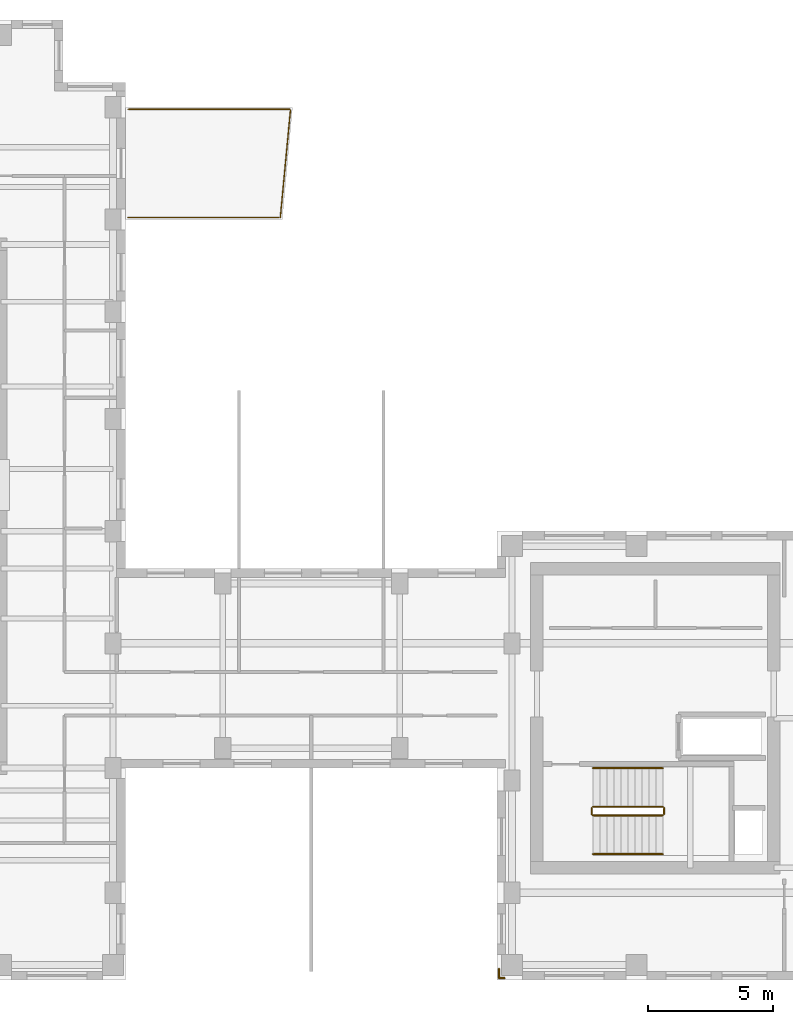
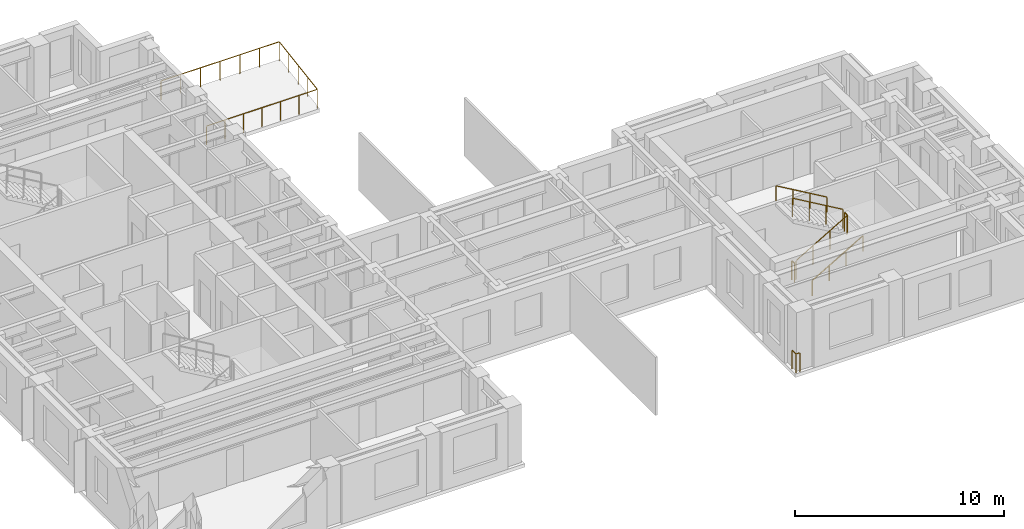
# One storey, part 10 of 10: 8 railings.
"""IFC4 building model written with IfcOpenShell, lengths in metres."""

import ifcopenshell
import ifcopenshell.guid

model = None  # the IFC model being written
_history = None  # IfcOwnerHistory: only IFC2X3 demands one
_inside = {}  # id of a spatial element -> (the spatial element, [elements in it])
_under = {}  # id of a project, library or spatial element -> (it, [spatial elements below it])
_declared = {}  # id of a project -> (the project, [libraries it declares])
_typed = {}  # id of a type object -> (the type object, [elements of that type])
_made_of = {}  # id of a material, layer set ... -> (it, [elements and type objects made of it])


def new_model(schema):
    """Start an empty IFC model of exactly this schema.

    Asked for "IFC4X3", IfcOpenShell would pick the latest addendum, in which some entities
    have other attributes; the version numbers below select the first issue.
    IFC2X3 requires an IfcOwnerHistory on every rooted entity: one is made here for all.
    """
    global model, _history
    if schema == "IFC4X3":
        model = ifcopenshell.file(schema_version=(4, 3, 0, 0))
    else:
        model = ifcopenshell.file(schema=schema)
    _inside.clear()
    _under.clear()
    _declared.clear()
    _typed.clear()
    _made_of.clear()
    _history = None
    if model.schema == "IFC2X3":
        org = make("IfcOrganization", Name="unknown")
        user = make(
            "IfcPersonAndOrganization",
            ThePerson=make("IfcPerson", FamilyName="unknown"),
            TheOrganization=org,
        )
        app = make(
            "IfcApplication",
            ApplicationDeveloper=org,
            Version="unknown",
            ApplicationFullName="unknown",
            ApplicationIdentifier="unknown",
        )
        _history = make(
            "IfcOwnerHistory",
            OwningUser=user,
            OwningApplication=app,
            ChangeAction="ADDED",
            CreationDate=0,
        )
    return model


def make(cls, **values):
    """One entity of the class cls with the attributes given. An attribute that is None is left unset."""
    return model.create_entity(
        cls, **{name: value for name, value in values.items() if value is not None}
    )


def rooted(cls, **values):
    """An entity with a GlobalId (a new one), such as an element, a storey or a relation."""
    return make(cls, GlobalId=ifcopenshell.guid.new(), OwnerHistory=_history, **values)


def si_unit(unit_type, name, prefix=None):
    """IfcSIUnit, for example si_unit("LENGTHUNIT", "METRE", prefix="MILLI")."""
    return make("IfcSIUnit", UnitType=unit_type, Prefix=prefix, Name=name)


def assignment(units):
    """IfcUnitAssignment: the units of a project."""
    return None if units is None else make("IfcUnitAssignment", Units=units)


def point(xyz):
    """IfcCartesianPoint."""
    return None if xyz is None else make("IfcCartesianPoint", Coordinates=xyz)


def direction(xyz):
    """IfcDirection."""
    return None if xyz is None else make("IfcDirection", DirectionRatios=xyz)


def frame(location, z_axis=None, x_axis=None):
    """IfcAxis2Placement3D, a coordinate frame: its origin and axes. An axis left out is left unset."""
    return make(
        "IfcAxis2Placement3D",
        Location=point(location),
        Axis=direction(z_axis),
        RefDirection=direction(x_axis),
    )


def frame_2d(location, x_axis=None):
    """IfcAxis2Placement2D, a coordinate frame in the plane: its origin and x axis."""
    return make(
        "IfcAxis2Placement2D", Location=point(location), RefDirection=direction(x_axis)
    )


def origin():
    """The frame at (0, 0, 0) with its axes left unset."""
    return frame((0.0, 0.0, 0.0))


def origin_2d():
    """The frame at (0, 0) in the plane with its x axis left unset."""
    return frame_2d((0.0, 0.0))


def place(relative_to, where):
    """IfcLocalPlacement: puts the frame where relative to a parent placement (None: the world)."""
    return make(
        "IfcLocalPlacement", PlacementRelTo=relative_to, RelativePlacement=where
    )


def context(
    kind, dimensions, precision=None, world=None, true_north=None, identifier=None
):
    """IfcGeometricRepresentationContext, for example the 3D "Model" context."""
    return make(
        "IfcGeometricRepresentationContext",
        ContextIdentifier=identifier,
        ContextType=kind,
        CoordinateSpaceDimension=dimensions,
        Precision=precision,
        WorldCoordinateSystem=world,
        TrueNorth=true_north,
    )


def subcontext(parent, identifier, kind, view, scale=None):
    """IfcGeometricRepresentationSubContext, for example "Body" below "Model"."""
    return make(
        "IfcGeometricRepresentationSubContext",
        ContextIdentifier=identifier,
        ContextType=kind,
        ParentContext=parent,
        TargetScale=scale,
        TargetView=view,
    )


def project(units=None, contexts=None):
    """IfcProject with its units and contexts."""
    return rooted(
        "IfcProject",
        Name="project",
        RepresentationContexts=contexts,
        UnitsInContext=assignment(units),
    )


def spatial(cls, under=None, at=None, **own):
    """A site, building, storey or space (cls), placed at a placement, below another one or the project."""
    s = rooted(cls, ObjectPlacement=at, **own)
    if under is not None:
        _under.setdefault(under.id(), (under, []))[1].append(s)
    return s


def profile(cls, at=None, kind="AREA", **sizes):
    """A parametric profile (cls). Its sizes go by their IFC names, for example OverallWidth=200.0."""
    return make(cls, ProfileType=kind, Position=at, **sizes)


def circle(**sizes):
    """IfcCircleProfileDef."""
    return profile("IfcCircleProfileDef", **sizes)


def extrude(swept, where, along, depth):
    """IfcExtrudedAreaSolid: the profile swept, set in the frame where, extruded along a direction by depth."""
    return make(
        "IfcExtrudedAreaSolid",
        SweptArea=swept,
        Position=where,
        ExtrudedDirection=direction(along),
        Depth=depth,
    )


def shape(context_of_items, identifier, shape_type, items):
    """IfcShapeRepresentation: the items that make up one representation, for example the "Body"."""
    return make(
        "IfcShapeRepresentation",
        ContextOfItems=context_of_items,
        RepresentationIdentifier=identifier,
        RepresentationType=shape_type,
        Items=items,
    )


def source(mapping_origin, context_of_items, identifier, shape_type, items):
    """IfcRepresentationMap: a shape defined once, which mapped items show again and again."""
    return make(
        "IfcRepresentationMap",
        MappingOrigin=mapping_origin,
        MappedRepresentation=shape(context_of_items, identifier, shape_type, items),
    )


def transform(
    local_origin,
    x_axis=None,
    y_axis=None,
    z_axis=None,
    scale=None,
    scale2=None,
    scale3=None,
    uniform=True,
):
    """IfcCartesianTransformationOperator3D, or its non-uniform kind. x_axis, y_axis, z_axis: its Axis1, 2, 3."""
    if uniform:
        return make(
            "IfcCartesianTransformationOperator3D",
            Axis1=direction(x_axis),
            Axis2=direction(y_axis),
            LocalOrigin=point(local_origin),
            Scale=scale,
            Axis3=direction(z_axis),
        )
    return make(
        "IfcCartesianTransformationOperator3DnonUniform",
        Axis1=direction(x_axis),
        Axis2=direction(y_axis),
        LocalOrigin=point(local_origin),
        Scale=scale,
        Axis3=direction(z_axis),
        Scale2=scale2,
        Scale3=scale3,
    )


def mapped(mapping_source, mapping_target):
    """IfcMappedItem: shows the shape of a source again, moved by a transform."""
    return make(
        "IfcMappedItem", MappingSource=mapping_source, MappingTarget=mapping_target
    )


def material(Name=None, Category=None):
    """IfcMaterial."""
    return make("IfcMaterial", Name=Name, Category=Category)


def layer(
    of_material, thickness, ventilated=None, Name=None, Category=None, Priority=None
):
    """IfcMaterialLayer: one layer of a wall or slab, of a material (None: an air gap)."""
    return make(
        "IfcMaterialLayer",
        Material=of_material,
        LayerThickness=thickness,
        IsVentilated=ventilated,
        Name=Name,
        Category=Category,
        Priority=Priority,
    )


def layer_set(layers, Name=None):
    """IfcMaterialLayerSet."""
    return make("IfcMaterialLayerSet", MaterialLayers=layers, LayerSetName=Name)


def made_of(thing, what):
    """Note that an element or type object is made of a material, layer set ...; save() writes the relation."""
    if what is not None:
        _made_of.setdefault(what.id(), (what, []))[1].append(thing)
    return thing


def type_object(cls, material=None, **own):
    """A type object (cls), such as IfcWallType, which elements share."""
    return made_of(rooted(cls, **own), material)


def element(
    cls,
    number,
    at=None,
    inside=None,
    cuts=None,
    type_object=None,
    material=None,
    context=None,
    identifier="Body",
    shape_type=None,
    held_by="IfcProductDefinitionShape",
    body=None,
    shapes=None,
    **own,
):
    """One element of the class cls, such as IfcWall. Its Tag is "e" and its number.

    at: its placement. inside: the storey or other place that contains it. cuts: it is an
    opening in that element (IfcRelVoidsElement). A single representation is given by context,
    identifier, shape_type and body (its items); several are given by shapes. held_by: the class
    of the entity that holds the representations. save() writes the other relations.
    """
    e = rooted(cls, Tag="e%d" % number, ObjectPlacement=at, **own)
    if body is not None:
        shapes = [shape(context, identifier, shape_type, body)]
    if shapes is not None:
        e.Representation = make(held_by, Representations=shapes)
    if inside is not None:
        _inside.setdefault(inside.id(), (inside, []))[1].append(e)
    if cuts is not None:
        rooted(
            "IfcRelVoidsElement", RelatingBuildingElement=cuts, RelatedOpeningElement=e
        )
    if type_object is not None:
        _typed.setdefault(type_object.id(), (type_object, []))[1].append(e)
    return made_of(e, material)


def aggregate(whole, parts):
    """IfcRelAggregates: a whole, such as a stair, and the parts it consists of."""
    return rooted("IfcRelAggregates", RelatingObject=whole, RelatedObjects=parts)


def save(model, path):
    """Write the relations noted so far, then the file.

    IfcRelAggregates (storeys below a building ...), IfcRelContainedInSpatialStructure (elements
    in a storey), IfcRelDefinesByType, IfcRelAssociatesMaterial and IfcRelDeclares: one each for
    every whole, place, type object, material and project.
    """
    for whole, parts in _under.values():
        aggregate(whole, parts)
    for where, things in _inside.values():
        rooted(
            "IfcRelContainedInSpatialStructure",
            RelatedElements=things,
            RelatingStructure=where,
        )
    for kind, things in _typed.values():
        rooted("IfcRelDefinesByType", RelatedObjects=things, RelatingType=kind)
    for what, things in _made_of.values():
        rooted("IfcRelAssociatesMaterial", RelatedObjects=things, RelatingMaterial=what)
    for by, libraries in _declared.values():
        rooted("IfcRelDeclares", RelatingContext=by, RelatedDefinitions=libraries)
    model.write(path)


model = new_model("IFC4")

# Units and contexts
model_context = context("Model", 3, precision=1e-05, world=origin(), true_north=direction((0.0, 1.0)))
body_context = subcontext(model_context, "Body", "Model", "MODEL_VIEW")
ifc_project = project(units=[si_unit("LENGTHUNIT", "METRE"), si_unit("AREAUNIT", "SQUARE_METRE"), si_unit("VOLUMEUNIT", "CUBIC_METRE"), si_unit("PLANEANGLEUNIT", "RADIAN"), si_unit("MASSUNIT", "GRAM", prefix="KILO")], contexts=[model_context])

# Site, building, storey
site_placement = place(None, origin())
site = spatial("IfcSite", under=ifc_project, at=site_placement, CompositionType="ELEMENT")
building_placement = place(site_placement, origin())
building = spatial("IfcBuilding", under=site, at=building_placement, Name="Kharzan Plaza Tower", CompositionType="ELEMENT")
storey_placement = place(building_placement, frame((0.0, 0.0, 237.60009765625)))
storey = spatial("IfcBuildingStorey", under=building, at=storey_placement, Name="L64", CompositionType="ELEMENT", Elevation=237.60009765625)

# Railings
ifc_material_1 = material(Name="Painted Galvanized Architectural Steel", Category="steel")
ifc_layer_1 = layer(ifc_material_1, 0.074951171875)
ifc_layer_set_1 = layer_set([ifc_layer_1], Name="Painted Galvanized Architectural Steel")
railing_type_1 = type_object("IfcRailingType", Name="RL-GUARD-1120", PredefinedType="BALUSTRADE", material=ifc_layer_set_1)
shared_shape_1 = source(origin(), body_context, "Body", "SweptSolid", [
    extrude(circle(Radius=0.02392578125, at=origin_2d()), frame((0.0, 0.0263671875, 1.09619140625), z_axis=(0.0, 1.0, 0.0), x_axis=(-1.0, 0.0, 0.0)), (0.0, 0.0, 1.0), 0.197021484375),
    extrude(circle(Radius=0.02099609375, at=origin_2d()), origin(), (0.0, 0.0, 1.0), 1.072021484375),
    extrude(circle(Radius=0.02099609375, at=origin_2d()), frame((0.0, 0.25, 0.0)), (0.0, 0.0, 1.0), 1.072021484375),
])
for number, where, name in (
    (1, (41.10009765625, 6.64990234375, 1.7998046875), "L64 ST-3 stair guard 2"),
    (2, (38.199951171875, 6.64990234375, 0.0), "L64 ST-3 stair guard 4"),
):
    element("IfcRailing", number, at=place(storey_placement, frame(where)), inside=storey, type_object=railing_type_1, Name=name, PredefinedType="BALUSTRADE", context=body_context, shape_type="MappedRepresentation", body=[
        mapped(shared_shape_1, transform((0.0, 0.0, 0.0), x_axis=(1.0, 0.0, 0.0), y_axis=(0.0, 1.0, 0.0), z_axis=(0.0, 0.0, 1.0))),
    ])
shared_shape_2 = source(origin(), body_context, "Body", "SweptSolid", [
    extrude(circle(Radius=0.02392578125, at=origin_2d()), frame((0.0263671875, 0.0, 1.09619140625), z_axis=(1.0, 0.0, 0.0), x_axis=(0.0, 1.0, 0.0)), (0.0, 0.0, 1.0), 6.056884765625),
    extrude(circle(Radius=0.02392578125, at=origin_2d()), frame((6.1123046875, 0.0263671875, 1.09619140625), z_axis=(0.094090176669, 0.995563678855, 0.0), x_axis=(-0.995563678855, 0.094090176669, 0.0)), (0.0, 0.0, 1.0), 4.306396484375),
    extrude(circle(Radius=0.02392578125, at=origin_2d()), frame((6.49365234375, 4.33984375, 1.09619140625), z_axis=(-1.0, 0.0, 0.0), x_axis=(0.0, -1.0, 0.0)), (0.0, 0.0, 1.0), 6.467041015625),
    extrude(circle(Radius=0.02099609375, at=origin_2d()), origin(), (0.0, 0.0, 1.0), 1.072021484375),
    extrude(circle(Radius=0.02099609375, at=origin_2d()), frame((1.018310546875, 0.0, 0.0)), (0.0, 0.0, 1.0), 1.072021484375),
    extrude(circle(Radius=0.02099609375, at=origin_2d()), frame((2.03662109375, 0.0, 0.0)), (0.0, 0.0, 1.0), 1.072021484375),
    extrude(circle(Radius=0.02099609375, at=origin_2d()), frame((3.054931640625, 0.0, 0.0)), (0.0, 0.0, 1.0), 1.072021484375),
    extrude(circle(Radius=0.02099609375, at=origin_2d()), frame((4.0732421875, 0.0, 0.0)), (0.0, 0.0, 1.0), 1.072021484375),
    extrude(circle(Radius=0.02099609375, at=origin_2d()), frame((5.091552734375, 0.0, 0.0)), (0.0, 0.0, 1.0), 1.072021484375),
    extrude(circle(Radius=0.02099609375, at=origin_2d()), frame((6.10986328125, 0.0, 0.0)), (0.0, 0.0, 1.0), 1.072021484375),
    extrude(circle(Radius=0.02099609375, at=origin_2d()), frame((6.21240234375, 1.0849609375, 0.0)), (0.0, 0.0, 1.0), 1.072021484375),
    extrude(circle(Radius=0.02099609375, at=origin_2d()), frame((6.31494140625, 2.169921875, 0.0)), (0.0, 0.0, 1.0), 1.072021484375),
    extrude(circle(Radius=0.02099609375, at=origin_2d()), frame((6.41748046875, 3.2548828125, 0.0)), (0.0, 0.0, 1.0), 1.072021484375),
    extrude(circle(Radius=0.02099609375, at=origin_2d()), frame((6.52001953125, 4.33984375, 0.0)), (0.0, 0.0, 1.0), 1.072021484375),
    extrude(circle(Radius=0.02099609375, at=origin_2d()), frame((5.433349609375, 4.33984375, 0.0)), (0.0, 0.0, 1.0), 1.072021484375),
    extrude(circle(Radius=0.02099609375, at=origin_2d()), frame((4.3466796875, 4.33984375, 0.0)), (0.0, 0.0, 1.0), 1.072021484375),
    extrude(circle(Radius=0.02099609375, at=origin_2d()), frame((3.260009765625, 4.33984375, 0.0)), (0.0, 0.0, 1.0), 1.072021484375),
    extrude(circle(Radius=0.02099609375, at=origin_2d()), frame((2.17333984375, 4.33984375, 0.0)), (0.0, 0.0, 1.0), 1.072021484375),
    extrude(circle(Radius=0.02099609375, at=origin_2d()), frame((1.086669921875, 4.33984375, 0.0)), (0.0, 0.0, 1.0), 1.072021484375),
    extrude(circle(Radius=0.02099609375, at=origin_2d()), frame((0.0, 4.33984375, 0.0)), (0.0, 0.0, 1.0), 1.072021484375),
])
railing_1_placement = place(storey_placement, frame((19.60009765625, 30.580078125, 0.0)))
element("IfcRailing", 3, at=railing_1_placement, inside=storey, type_object=railing_type_1, Name="L64 Cantilevered Sky-Terrace Tray Balustrade", PredefinedType="BALUSTRADE", context=body_context, shape_type="MappedRepresentation", body=[
    mapped(shared_shape_2, transform((0.0, 0.0, 0.0), x_axis=(1.0, 0.0, 0.0), y_axis=(0.0, 1.0, 0.0), z_axis=(0.0, 0.0, 1.0))),
])
shared_shape_3 = source(origin(), body_context, "Body", "SweptSolid", [
    extrude(circle(Radius=0.02392578125, at=origin_2d()), frame((0.02294921875, 0.0, 1.109375), z_axis=(0.863393664356, 0.0, 0.504530851732), x_axis=(0.0, 1.0, 0.0)), (0.0, 0.0, 1.0), 3.190185546875),
    extrude(circle(Radius=0.02099609375, at=origin_2d()), origin(), (0.0, 0.0, 1.0), 1.072021484375),
    extrude(circle(Radius=0.02099609375, at=origin_2d()), frame((0.933349609375, 0.0, 0.54541015625)), (0.0, 0.0, 1.0), 1.072021484375),
    extrude(circle(Radius=0.02099609375, at=origin_2d()), frame((1.86669921875, 0.0, 1.0908203125)), (0.0, 0.0, 1.0), 1.072021484375),
    extrude(circle(Radius=0.02099609375, at=origin_2d()), frame((2.800048828125, 0.0, 1.63623046875)), (0.0, 0.0, 1.0), 1.072021484375),
])
railing_2_placement = place(storey_placement, frame((38.25, 6.60009765625, 0.16357421875)))
element("IfcRailing", 4, at=railing_2_placement, inside=storey, type_object=railing_type_1, Name="L64 ST-3 stair guard 1", PredefinedType="BALUSTRADE", context=body_context, shape_type="MappedRepresentation", body=[
    mapped(shared_shape_3, transform((0.0, 0.0, 0.0), x_axis=(1.0, 0.0, 0.0), y_axis=(0.0, 1.0, 0.0), z_axis=(0.0, 0.0, 1.0))),
])
shared_shape_4 = source(origin(), body_context, "Body", "SweptSolid", [
    extrude(circle(Radius=0.02392578125, at=origin_2d()), frame((-0.02294921875, 0.0, 1.109375), z_axis=(-0.863393664356, 0.0, 0.504530851732), x_axis=(0.0, -1.0, 0.0)), (0.0, 0.0, 1.0), 3.190185546875),
    extrude(circle(Radius=0.02099609375, at=origin_2d()), origin(), (0.0, 0.0, 1.0), 1.072021484375),
    extrude(circle(Radius=0.02099609375, at=origin_2d()), frame((-0.933349609375, 0.0, 0.54541015625)), (0.0, 0.0, 1.0), 1.072021484375),
    extrude(circle(Radius=0.02099609375, at=origin_2d()), frame((-1.86669921875, 0.0, 1.0908203125)), (0.0, 0.0, 1.0), 1.072021484375),
    extrude(circle(Radius=0.02099609375, at=origin_2d()), frame((-2.800048828125, 0.0, 1.63623046875)), (0.0, 0.0, 1.0), 1.072021484375),
])
railing_3_placement = place(storey_placement, frame((41.050048828125, 6.949951171875, 1.963623046875)))
element("IfcRailing", 5, at=railing_3_placement, inside=storey, type_object=railing_type_1, Name="L64 ST-3 stair guard 3", PredefinedType="BALUSTRADE", context=body_context, shape_type="MappedRepresentation", body=[
    mapped(shared_shape_4, transform((0.0, 0.0, 0.0), x_axis=(1.0, 0.0, 0.0), y_axis=(0.0, 1.0, 0.0), z_axis=(0.0, 0.0, 1.0))),
])
ifc_material_2 = material(Name="Brushed Stainless Steel", Category="steel")
ifc_layer_2 = layer(ifc_material_2, 0.050048828125)
ifc_layer_set_2 = layer_set([ifc_layer_2], Name="Brushed Stainless Steel")
railing_type_2 = type_object("IfcRailingType", Name="RL-STAIR-HR920", PredefinedType="HANDRAIL", material=ifc_layer_set_2)
shared_shape_5 = source(origin(), body_context, "Body", "SweptSolid", [
    extrude(circle(Radius=0.02392578125, at=origin_2d()), frame((0.02294921875, 0.0, 0.88916015625), z_axis=(0.863393664356, 0.0, 0.504530851732), x_axis=(0.0, 1.0, 0.0)), (0.0, 0.0, 1.0), 3.190185546875),
    extrude(circle(Radius=0.02099609375, at=origin_2d()), origin(), (0.0, 0.0, 1.0), 0.851806640625),
    extrude(circle(Radius=0.02099609375, at=origin_2d()), frame((0.933349609375, 0.0, 0.54541015625)), (0.0, 0.0, 1.0), 0.851806640625),
    extrude(circle(Radius=0.02099609375, at=origin_2d()), frame((1.86669921875, 0.0, 1.0908203125)), (0.0, 0.0, 1.0), 0.851806640625),
    extrude(circle(Radius=0.02099609375, at=origin_2d()), frame((2.800048828125, 0.0, 1.63623046875)), (0.0, 0.0, 1.0), 0.851806640625),
])
railing_4_placement = place(storey_placement, frame((38.25, 5.050048828125, 0.16357421875)))
element("IfcRailing", 6, at=railing_4_placement, inside=storey, type_object=railing_type_2, Name="L64 ST-3 stair handrail 1", PredefinedType="HANDRAIL", context=body_context, shape_type="MappedRepresentation", body=[
    mapped(shared_shape_5, transform((0.0, 0.0, 0.0), x_axis=(1.0, 0.0, 0.0), y_axis=(0.0, 1.0, 0.0), z_axis=(0.0, 0.0, 1.0))),
])
shared_shape_6 = source(origin(), body_context, "Body", "SweptSolid", [
    extrude(circle(Radius=0.02392578125, at=origin_2d()), frame((-0.02294921875, 0.0, 0.88916015625), z_axis=(-0.863393664356, 0.0, 0.504530851732), x_axis=(0.0, -1.0, 0.0)), (0.0, 0.0, 1.0), 3.190185546875),
    extrude(circle(Radius=0.02099609375, at=origin_2d()), origin(), (0.0, 0.0, 1.0), 0.851806640625),
    extrude(circle(Radius=0.02099609375, at=origin_2d()), frame((-0.933349609375, 0.0, 0.54541015625)), (0.0, 0.0, 1.0), 0.851806640625),
    extrude(circle(Radius=0.02099609375, at=origin_2d()), frame((-1.86669921875, 0.0, 1.0908203125)), (0.0, 0.0, 1.0), 0.851806640625),
    extrude(circle(Radius=0.02099609375, at=origin_2d()), frame((-2.800048828125, 0.0, 1.63623046875)), (0.0, 0.0, 1.0), 0.851806640625),
])
railing_5_placement = place(storey_placement, frame((41.050048828125, 8.5, 1.963623046875)))
element("IfcRailing", 7, at=railing_5_placement, inside=storey, type_object=railing_type_2, Name="L64 ST-3 stair handrail 2", PredefinedType="HANDRAIL", context=body_context, shape_type="MappedRepresentation", body=[
    mapped(shared_shape_6, transform((0.0, 0.0, 0.0), x_axis=(1.0, 0.0, 0.0), y_axis=(0.0, 1.0, 0.0), z_axis=(0.0, 0.0, 1.0))),
])
shared_shape_7 = source(origin(), body_context, "Body", "SweptSolid", [
    extrude(circle(Radius=0.02392578125, at=origin_2d()), frame((-0.0263671875, 0.0, 1.09619140625), z_axis=(-1.0, 0.0, 0.0), x_axis=(0.0, -1.0, 0.0)), (0.0, 0.0, 1.0), 0.1669921875),
    extrude(circle(Radius=0.02392578125, at=origin_2d()), frame((-0.219970703125, 0.0263671875, 1.09619140625), z_axis=(0.0, 1.0, 0.0), x_axis=(-1.0, 0.0, 0.0)), (0.0, 0.0, 1.0), 0.31689453125),
    extrude(circle(Radius=0.02099609375, at=origin_2d()), origin(), (0.0, 0.0, 1.0), 1.072021484375),
    extrude(circle(Radius=0.02099609375, at=origin_2d()), frame((-0.219970703125, 0.0, 0.0)), (0.0, 0.0, 1.0), 1.072021484375),
    extrude(circle(Radius=0.02099609375, at=origin_2d()), frame((-0.219970703125, 0.369873046875, 0.0)), (0.0, 0.0, 1.0), 1.072021484375),
])
railing_6_placement = place(storey_placement, frame((34.699951171875, 0.080078125, 0.0)))
element("IfcRailing", 8, at=railing_6_placement, inside=storey, type_object=railing_type_1, Name="L64 South-West Wing B Slot Corner Safety Guard", PredefinedType="BALUSTRADE", context=body_context, shape_type="MappedRepresentation", body=[
    mapped(shared_shape_7, transform((0.0, 0.0, 0.0), x_axis=(1.0, 0.0, 0.0), y_axis=(0.0, 1.0, 0.0), z_axis=(0.0, 0.0, 1.0))),
])

save(model, "model.ifc")
